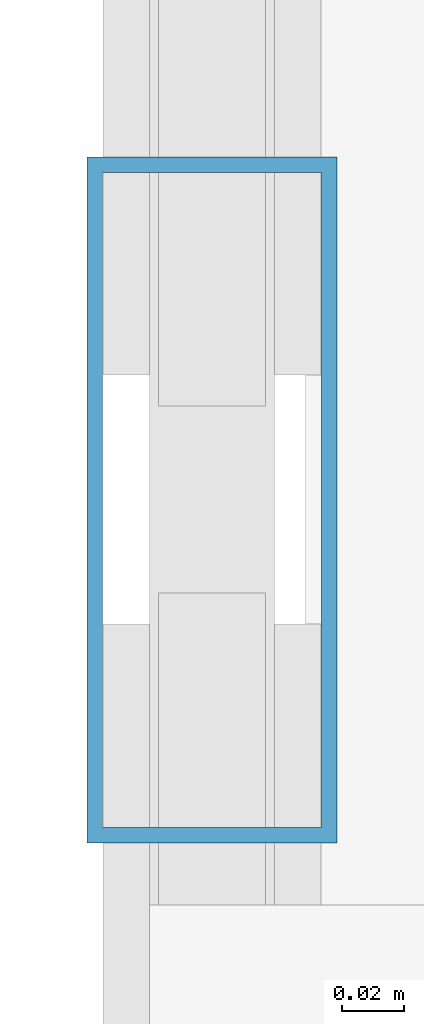
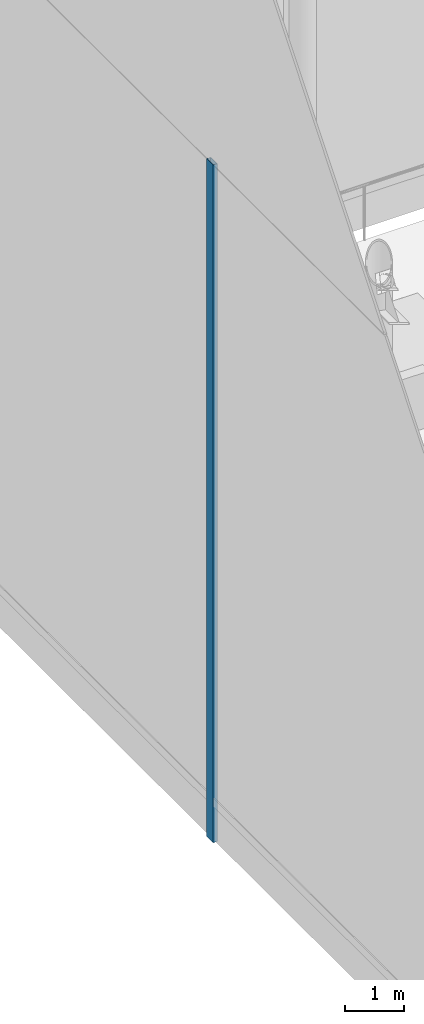
# One storey, part 12 of 42: 1 member, 1 element without a shape of its own.
"""IFC4 building model written with IfcOpenShell, lengths in metres."""

from ifc_helpers import new_model, si_unit, direction, frame, origin, origin_2d, place, context, subcontext, project, spatial, hollow_rectangle, extrude, material, layer, layer_set, material_profile, profile_set, type_object, element, aggregate, save


model = new_model("IFC4")

# Units and contexts
model_context = context("Model", 3, precision=1e-05, world=origin(), true_north=direction((0.0, 1.0)))
body_context = subcontext(model_context, "Body", "Model", "MODEL_VIEW")
ifc_project = project(units=[si_unit("LENGTHUNIT", "METRE"), si_unit("AREAUNIT", "SQUARE_METRE"), si_unit("VOLUMEUNIT", "CUBIC_METRE"), si_unit("PLANEANGLEUNIT", "RADIAN"), si_unit("MASSUNIT", "GRAM", prefix="KILO")], contexts=[model_context])

# Site, building, storey
site_placement = place(None, origin())
site = spatial("IfcSite", under=ifc_project, at=site_placement, CompositionType="ELEMENT")
building_placement = place(site_placement, origin())
building = spatial("IfcBuilding", under=site, at=building_placement, Name="Kallvorn Hotel Tower", CompositionType="ELEMENT")
storey_placement = place(building_placement, frame((0.0, 0.0, 306.0)))
storey = spatial("IfcBuildingStorey", under=building, at=storey_placement, Name="ROOF", CompositionType="ELEMENT", Elevation=306.0)

# Curtain wall, member
ifc_material_1 = material(Name="Thermally broken black-anodised aluminium AA 6063-T6", Category="aluminium")
ifc_layer = layer(ifc_material_1, 0.18994140625)
ifc_layer_set = layer_set([ifc_layer], Name="CW_SYS_7_CROWN_DRUM")
curtain_wall_type = type_object("IfcCurtainWallType", Name="CW_SYS_7_CROWN_DRUM", PredefinedType="USERDEFINED", material=ifc_layer_set)
curtain_wall_placement = place(storey_placement, origin())
curtain_wall = element("IfcCurtainWall", 1, at=curtain_wall_placement, inside=storey, type_object=curtain_wall_type, Name="ROOF Dark-Glass Curtain Wall CW-ROOF-W1", ObjectType="UNITISED CURTAIN WALL", PredefinedType="USERDEFINED")
ifc_material_2 = material(Name="Thermally broken black-anodised aluminium AA 6063-T6", Category="aluminium")
ifc_material_profile = material_profile(ifc_material_2, hollow_rectangle(XDim=0.080078125, YDim=0.219970703125, WallThickness=0.0048828125, at=origin_2d()), Name="MUL 220x80")
ifc_profile_set = profile_set([ifc_material_profile], Name="Thermally broken black-anodised aluminium AA 6063-T6")
member_type = type_object("IfcMemberType", Name="CW_MULLION_220x80", PredefinedType="MULLION", material=ifc_profile_set)
member_placement = place(storey_placement, frame((-29.050048828125, 0.39990234375, 0.02001953125), z_axis=(0.0, 0.0, 1.0), x_axis=(1.0, 0.0, 0.0)))
member = element("IfcMember", 2, at=member_placement, type_object=member_type, Name="CW-ROOF-W1 Mullion 02", PredefinedType="MULLION", context=body_context, shape_type="SweptSolid", body=[
    extrude(hollow_rectangle(XDim=0.080078125, YDim=0.219970703125, WallThickness=0.0048828125, at=origin_2d()), origin(), (0.0, 0.0, 1.0), 13.9599609375),
])
aggregate(curtain_wall, [member])

save(model, "model.ifc")
